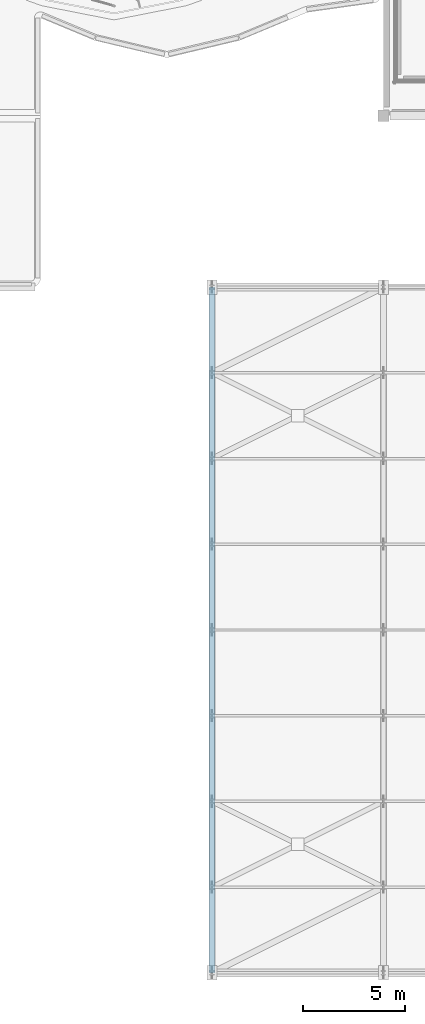
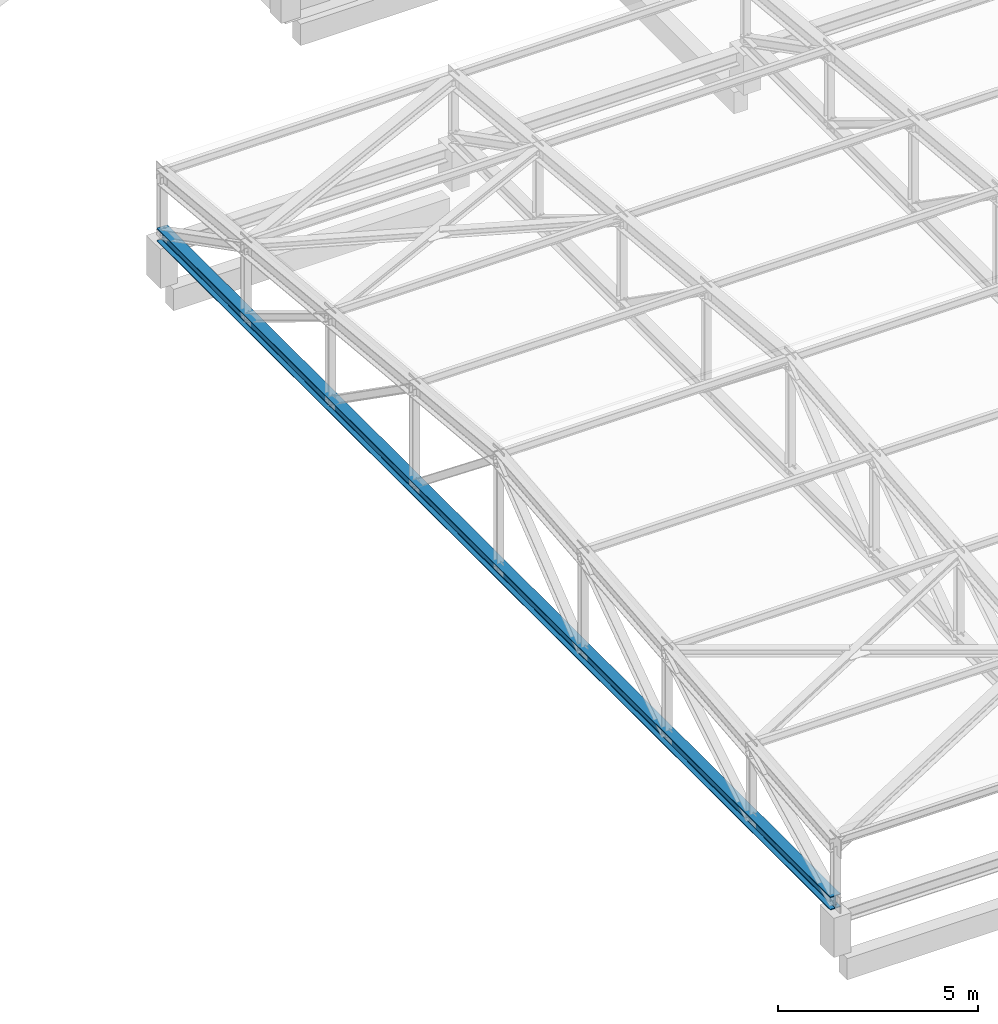
# One storey, part 3 of 74: 1 beam.
"""IFC4 building model written with IfcOpenShell, lengths in metres."""

import ifcopenshell
import ifcopenshell.guid

model = None  # the IFC model being written
_history = None  # IfcOwnerHistory: only IFC2X3 demands one
_inside = {}  # id of a spatial element -> (the spatial element, [elements in it])
_under = {}  # id of a project, library or spatial element -> (it, [spatial elements below it])
_declared = {}  # id of a project -> (the project, [libraries it declares])
_typed = {}  # id of a type object -> (the type object, [elements of that type])
_made_of = {}  # id of a material, layer set ... -> (it, [elements and type objects made of it])


def new_model(schema):
    """Start an empty IFC model of exactly this schema.

    Asked for "IFC4X3", IfcOpenShell would pick the latest addendum, in which some entities
    have other attributes; the version numbers below select the first issue.
    IFC2X3 requires an IfcOwnerHistory on every rooted entity: one is made here for all.
    """
    global model, _history
    if schema == "IFC4X3":
        model = ifcopenshell.file(schema_version=(4, 3, 0, 0))
    else:
        model = ifcopenshell.file(schema=schema)
    _inside.clear()
    _under.clear()
    _declared.clear()
    _typed.clear()
    _made_of.clear()
    _history = None
    if model.schema == "IFC2X3":
        org = make("IfcOrganization", Name="unknown")
        user = make(
            "IfcPersonAndOrganization",
            ThePerson=make("IfcPerson", FamilyName="unknown"),
            TheOrganization=org,
        )
        app = make(
            "IfcApplication",
            ApplicationDeveloper=org,
            Version="unknown",
            ApplicationFullName="unknown",
            ApplicationIdentifier="unknown",
        )
        _history = make(
            "IfcOwnerHistory",
            OwningUser=user,
            OwningApplication=app,
            ChangeAction="ADDED",
            CreationDate=0,
        )
    return model


def make(cls, **values):
    """One entity of the class cls with the attributes given. An attribute that is None is left unset."""
    return model.create_entity(
        cls, **{name: value for name, value in values.items() if value is not None}
    )


def rooted(cls, **values):
    """An entity with a GlobalId (a new one), such as an element, a storey or a relation."""
    return make(cls, GlobalId=ifcopenshell.guid.new(), OwnerHistory=_history, **values)


def si_unit(unit_type, name, prefix=None):
    """IfcSIUnit, for example si_unit("LENGTHUNIT", "METRE", prefix="MILLI")."""
    return make("IfcSIUnit", UnitType=unit_type, Prefix=prefix, Name=name)


def derived_unit(unit_type, elements):
    """IfcDerivedUnit: a product of units, each with its exponent."""
    return make(
        "IfcDerivedUnit",
        Elements=[
            make("IfcDerivedUnitElement", Unit=unit, Exponent=power)
            for unit, power in elements
        ],
        UnitType=unit_type,
    )


def assignment(units):
    """IfcUnitAssignment: the units of a project."""
    return None if units is None else make("IfcUnitAssignment", Units=units)


def point(xyz):
    """IfcCartesianPoint."""
    return None if xyz is None else make("IfcCartesianPoint", Coordinates=xyz)


def direction(xyz):
    """IfcDirection."""
    return None if xyz is None else make("IfcDirection", DirectionRatios=xyz)


def frame(location, z_axis=None, x_axis=None):
    """IfcAxis2Placement3D, a coordinate frame: its origin and axes. An axis left out is left unset."""
    return make(
        "IfcAxis2Placement3D",
        Location=point(location),
        Axis=direction(z_axis),
        RefDirection=direction(x_axis),
    )


def frame_2d(location, x_axis=None):
    """IfcAxis2Placement2D, a coordinate frame in the plane: its origin and x axis."""
    return make(
        "IfcAxis2Placement2D", Location=point(location), RefDirection=direction(x_axis)
    )


def origin():
    """The frame at (0, 0, 0) with its axes left unset."""
    return frame((0.0, 0.0, 0.0))


def origin_2d():
    """The frame at (0, 0) in the plane with its x axis left unset."""
    return frame_2d((0.0, 0.0))


def place(relative_to, where):
    """IfcLocalPlacement: puts the frame where relative to a parent placement (None: the world)."""
    return make(
        "IfcLocalPlacement", PlacementRelTo=relative_to, RelativePlacement=where
    )


def context(
    kind, dimensions, precision=None, world=None, true_north=None, identifier=None
):
    """IfcGeometricRepresentationContext, for example the 3D "Model" context."""
    return make(
        "IfcGeometricRepresentationContext",
        ContextIdentifier=identifier,
        ContextType=kind,
        CoordinateSpaceDimension=dimensions,
        Precision=precision,
        WorldCoordinateSystem=world,
        TrueNorth=true_north,
    )


def subcontext(parent, identifier, kind, view, scale=None):
    """IfcGeometricRepresentationSubContext, for example "Body" below "Model"."""
    return make(
        "IfcGeometricRepresentationSubContext",
        ContextIdentifier=identifier,
        ContextType=kind,
        ParentContext=parent,
        TargetScale=scale,
        TargetView=view,
    )


def project(units=None, contexts=None):
    """IfcProject with its units and contexts."""
    return rooted(
        "IfcProject",
        Name="project",
        RepresentationContexts=contexts,
        UnitsInContext=assignment(units),
    )


def spatial(cls, under=None, at=None, **own):
    """A site, building, storey or space (cls), placed at a placement, below another one or the project."""
    s = rooted(cls, ObjectPlacement=at, **own)
    if under is not None:
        _under.setdefault(under.id(), (under, []))[1].append(s)
    return s


def profile(cls, at=None, kind="AREA", **sizes):
    """A parametric profile (cls). Its sizes go by their IFC names, for example OverallWidth=200.0."""
    return make(cls, ProfileType=kind, Position=at, **sizes)


def i_section(**sizes):
    """IfcIShapeProfileDef."""
    return profile("IfcIShapeProfileDef", **sizes)


def extrude(swept, where, along, depth):
    """IfcExtrudedAreaSolid: the profile swept, set in the frame where, extruded along a direction by depth."""
    return make(
        "IfcExtrudedAreaSolid",
        SweptArea=swept,
        Position=where,
        ExtrudedDirection=direction(along),
        Depth=depth,
    )


def shape(context_of_items, identifier, shape_type, items):
    """IfcShapeRepresentation: the items that make up one representation, for example the "Body"."""
    return make(
        "IfcShapeRepresentation",
        ContextOfItems=context_of_items,
        RepresentationIdentifier=identifier,
        RepresentationType=shape_type,
        Items=items,
    )


def material(Name=None, Category=None):
    """IfcMaterial."""
    return make("IfcMaterial", Name=Name, Category=Category)


def material_profile(
    of_material, cross_section, Name=None, Category=None, Priority=None
):
    """IfcMaterialProfile: a cross section and its material."""
    return make(
        "IfcMaterialProfile",
        Name=Name,
        Material=of_material,
        Profile=cross_section,
        Priority=Priority,
        Category=Category,
    )


def profile_set(profiles, Name=None, composite=None):
    """IfcMaterialProfileSet."""
    return make(
        "IfcMaterialProfileSet",
        Name=Name,
        MaterialProfiles=profiles,
        CompositeProfile=composite,
    )


def made_of(thing, what):
    """Note that an element or type object is made of a material, layer set ...; save() writes the relation."""
    if what is not None:
        _made_of.setdefault(what.id(), (what, []))[1].append(thing)
    return thing


def type_object(cls, material=None, **own):
    """A type object (cls), such as IfcWallType, which elements share."""
    return made_of(rooted(cls, **own), material)


def element(
    cls,
    number,
    at=None,
    inside=None,
    cuts=None,
    type_object=None,
    material=None,
    context=None,
    identifier="Body",
    shape_type=None,
    held_by="IfcProductDefinitionShape",
    body=None,
    shapes=None,
    **own,
):
    """One element of the class cls, such as IfcWall. Its Tag is "e" and its number.

    at: its placement. inside: the storey or other place that contains it. cuts: it is an
    opening in that element (IfcRelVoidsElement). A single representation is given by context,
    identifier, shape_type and body (its items); several are given by shapes. held_by: the class
    of the entity that holds the representations. save() writes the other relations.
    """
    e = rooted(cls, Tag="e%d" % number, ObjectPlacement=at, **own)
    if body is not None:
        shapes = [shape(context, identifier, shape_type, body)]
    if shapes is not None:
        e.Representation = make(held_by, Representations=shapes)
    if inside is not None:
        _inside.setdefault(inside.id(), (inside, []))[1].append(e)
    if cuts is not None:
        rooted(
            "IfcRelVoidsElement", RelatingBuildingElement=cuts, RelatedOpeningElement=e
        )
    if type_object is not None:
        _typed.setdefault(type_object.id(), (type_object, []))[1].append(e)
    return made_of(e, material)


def aggregate(whole, parts):
    """IfcRelAggregates: a whole, such as a stair, and the parts it consists of."""
    return rooted("IfcRelAggregates", RelatingObject=whole, RelatedObjects=parts)


def save(model, path):
    """Write the relations noted so far, then the file.

    IfcRelAggregates (storeys below a building ...), IfcRelContainedInSpatialStructure (elements
    in a storey), IfcRelDefinesByType, IfcRelAssociatesMaterial and IfcRelDeclares: one each for
    every whole, place, type object, material and project.
    """
    for whole, parts in _under.values():
        aggregate(whole, parts)
    for where, things in _inside.values():
        rooted(
            "IfcRelContainedInSpatialStructure",
            RelatedElements=things,
            RelatingStructure=where,
        )
    for kind, things in _typed.values():
        rooted("IfcRelDefinesByType", RelatedObjects=things, RelatingType=kind)
    for what, things in _made_of.values():
        rooted("IfcRelAssociatesMaterial", RelatedObjects=things, RelatingMaterial=what)
    for by, libraries in _declared.values():
        rooted("IfcRelDeclares", RelatingContext=by, RelatedDefinitions=libraries)
    model.write(path)


model = new_model("IFC4")

# Units and contexts
model_context = context("Model", 3, precision=1e-05, world=origin(), true_north=direction((0.0, 1.0)))
body_context = subcontext(model_context, "Body", "Model", "MODEL_VIEW")
ifc_project = project(units=[si_unit("LENGTHUNIT", "METRE"), si_unit("AREAUNIT", "SQUARE_METRE"), si_unit("VOLUMEUNIT", "CUBIC_METRE"), si_unit("PLANEANGLEUNIT", "RADIAN"), si_unit("MASSUNIT", "GRAM", prefix="KILO"), derived_unit("THERMALTRANSMITTANCEUNIT", [(si_unit("POWERUNIT", "WATT"), 1), (si_unit("LENGTHUNIT", "METRE"), -2), (si_unit("THERMODYNAMICTEMPERATUREUNIT", "KELVIN"), -1)])], contexts=[model_context])

# Site, building, storey
site_placement = place(None, origin())
site = spatial("IfcSite", under=ifc_project, at=site_placement, CompositionType="ELEMENT")
building_placement = place(site_placement, origin())
building = spatial("IfcBuilding", under=site, at=building_placement, Name="Elbkamm Science Centre", CompositionType="ELEMENT")
storey_placement = place(building_placement, frame((0.0, 0.0, 14.39990234375)))
storey = spatial("IfcBuildingStorey", under=building, at=storey_placement, Name="L03", CompositionType="ELEMENT", Elevation=14.39990234375)

# Beam
ifc_material = material(Name="Steel EN 10025-2 S355J2", Category="steel")
ifc_material_profile = material_profile(ifc_material, i_section(OverallWidth=0.300048828125, OverallDepth=0.39990234375, WebThickness=0.013427734375, FlangeThickness=0.02392578125, FilletRadius=0.027099609375, at=origin_2d()), Name="HEB 400")
ifc_profile_set = profile_set([ifc_material_profile], Name="Steel EN 10025-2 S355J2")
beam_type = type_object("IfcBeamType", Name="BM-STL-HEB400", PredefinedType="BEAM", material=ifc_profile_set)
beam_placement = place(storey_placement, frame((67.199951171875, 0.0, 1.400146484375), z_axis=(0.0, 1.0, 0.0), x_axis=(-1.0, 0.0, 0.0)))
element("IfcBeam", 1, at=beam_placement, inside=storey, type_object=beam_type, Name="Theatre Steel Truss 01 Continuous Bottom Tie Chord", PredefinedType="BEAM", context=body_context, shape_type="SweptSolid", body=[
    extrude(i_section(OverallWidth=0.300048828125, OverallDepth=0.39990234375, WebThickness=0.013427734375, FlangeThickness=0.02392578125, FilletRadius=0.027099609375, at=origin_2d()), origin(), (0.0, 0.0, 1.0), 33.60009765625),
])

save(model, "model.ifc")
